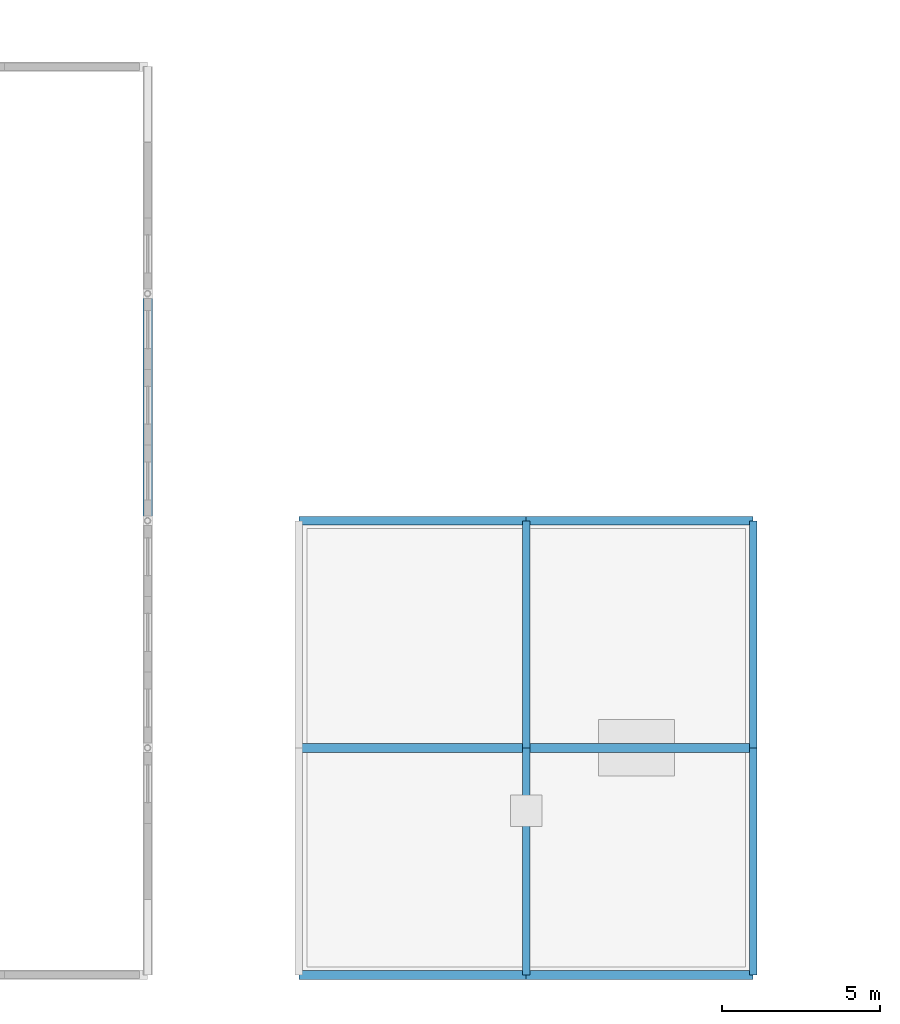
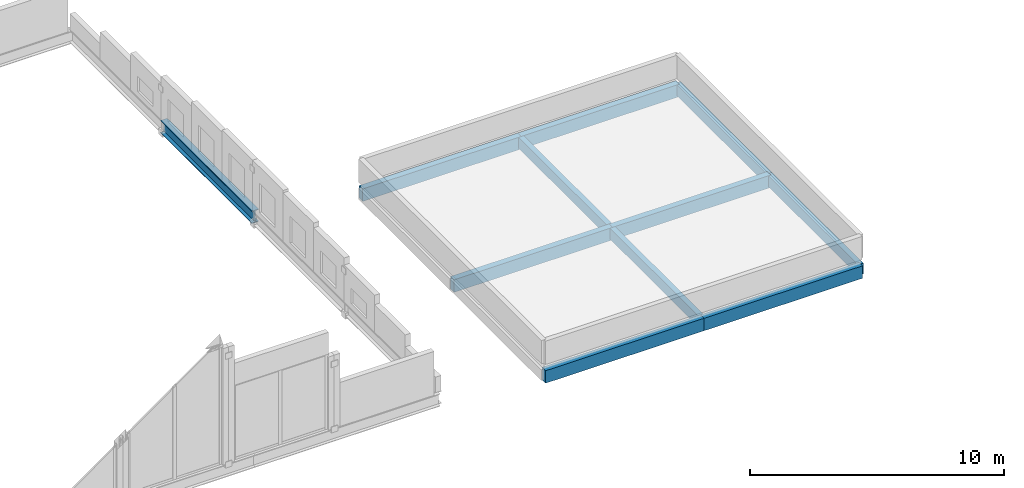
# One storey, part 7 of 34: 11 beams.
"""IFC4 building model written with IfcOpenShell, lengths in metres."""

from ifc_helpers import new_model, si_unit, direction, frame, origin, origin_2d, place, context, subcontext, project, spatial, rectangle, i_section, extrude, material, material_profile, profile_set, type_object, element, save


model = new_model("IFC4")

# Units and contexts
model_context = context("Model", 3, precision=1e-05, world=origin(), true_north=direction((0.0, 1.0)))
body_context = subcontext(model_context, "Body", "Model", "MODEL_VIEW")
ifc_project = project(units=[si_unit("LENGTHUNIT", "METRE"), si_unit("AREAUNIT", "SQUARE_METRE"), si_unit("VOLUMEUNIT", "CUBIC_METRE"), si_unit("PLANEANGLEUNIT", "RADIAN"), si_unit("MASSUNIT", "GRAM", prefix="KILO")], contexts=[model_context])

# Site, building, storey
site_placement = place(None, origin())
site = spatial("IfcSite", under=ifc_project, at=site_placement, CompositionType="ELEMENT")
building_placement = place(site_placement, origin())
building = spatial("IfcBuilding", under=site, at=building_placement, Name="Kahlenmark Community Centre", CompositionType="ELEMENT")
storey_placement = place(building_placement, frame((0.0, 0.0, 17.699951171875)))
storey = spatial("IfcBuildingStorey", under=building, at=storey_placement, Name="L04", CompositionType="ELEMENT", Elevation=17.699951171875)

# Beams
ifc_material_1 = material(Name="Glulam GL32h", Category="wood")
ifc_material_profile_1 = material_profile(ifc_material_1, rectangle(XDim=0.239990234375, YDim=0.52001953125, at=origin_2d()), Name="GL32h 240x520")
ifc_profile_set_1 = profile_set([ifc_material_profile_1], Name="Glulam GL32h")
beam_type_1 = type_object("IfcBeamType", Name="BT-BEAM-GL32h240x520", PredefinedType="BEAM", material=ifc_profile_set_1)
for number, where, z_axis, x_axis, name in (
    (1, (58.0, 8.800048828125, -0.5400390625), (0.0, 1.0, 0.0), (-1.0, 0.0, 0.0), "L04 beam BG-RF520"),
    (2, (58.0, 16.0, -0.5400390625), (0.0, 1.0, 0.0), (-1.0, 0.0, 0.0), "L04 beam BG-RF520"),
    (3, (65.199951171875, 8.800048828125, -0.5400390625), (0.0, 1.0, 0.0), (-1.0, 0.0, 0.0), "L04 beam BG-RF520"),
    (4, (65.199951171875, 16.0, -0.5400390625), (0.0, 1.0, 0.0), (-1.0, 0.0, 0.0), "L04 beam BG-RF520"),
):
    element("IfcBeam", number, at=place(storey_placement, frame(where, z_axis=z_axis, x_axis=x_axis)), inside=storey, type_object=beam_type_1, Name=name, PredefinedType="BEAM", context=body_context, shape_type="SweptSolid", body=[
        extrude(rectangle(XDim=0.239990234375, YDim=0.52001953125, at=origin_2d()), origin(), (0.0, 0.0, 1.0), 7.199951171875),
    ])
ifc_material_profile_2 = material_profile(ifc_material_1, rectangle(XDim=0.280029296875, YDim=0.60009765625, at=origin_2d()), Name="GL32h 280x600")
ifc_profile_set_2 = profile_set([ifc_material_profile_2], Name="Glulam GL32h")
beam_type_2 = type_object("IfcBeamType", Name="BT-BEAM-GL32h280x600", PredefinedType="BEAM", material=ifc_profile_set_2)
for number, where, z_axis, x_axis, name in (
    (5, (50.800048828125, 8.800048828125, -0.579833984375), (1.0, 0.0, 0.0), (0.0, 1.0, 0.0), "L04 beam BG-RF600"),
    (6, (58.0, 8.800048828125, -0.579833984375), (1.0, 0.0, 0.0), (0.0, 1.0, 0.0), "L04 beam BG-RF600"),
    (7, (50.800048828125, 16.0, -0.579833984375), (1.0, 0.0, 0.0), (0.0, 1.0, 0.0), "L04 beam BG-RF600"),
    (8, (58.0, 16.0, -0.579833984375), (1.0, 0.0, 0.0), (0.0, 1.0, 0.0), "L04 beam BG-RF600"),
    (9, (50.800048828125, 23.199951171875, -0.579833984375), (1.0, 0.0, 0.0), (0.0, 1.0, 0.0), "L04 beam BG-RF600"),
    (10, (58.0, 23.199951171875, -0.579833984375), (1.0, 0.0, 0.0), (0.0, 1.0, 0.0), "L04 beam BG-RF600"),
):
    element("IfcBeam", number, at=place(storey_placement, frame(where, z_axis=z_axis, x_axis=x_axis)), inside=storey, type_object=beam_type_2, Name=name, PredefinedType="BEAM", context=body_context, shape_type="SweptSolid", body=[
        extrude(rectangle(XDim=0.280029296875, YDim=0.60009765625, at=origin_2d()), origin(), (0.0, 0.0, 1.0), 7.199951171875),
    ])
ifc_material_2 = material(Name="Steel S355", Category="steel")
ifc_material_profile_3 = material_profile(ifc_material_2, i_section(OverallWidth=0.300048828125, OverallDepth=0.60009765625, WebThickness=0.015380859375, FlangeThickness=0.030029296875, at=origin_2d()), Name="HEB 600")
ifc_profile_set_3 = profile_set([ifc_material_profile_3], Name="Steel S355")
beam_type_3 = type_object("IfcBeamType", Name="BT-SPANDREL-HEB600", PredefinedType="SPANDREL", material=ifc_profile_set_3)
beam_placement = place(storey_placement, frame((46.0, 23.199951171875, 0.0), z_axis=(0.0, 1.0, 0.0), x_axis=(-1.0, 0.0, 0.0)))
element("IfcBeam", 11, at=beam_placement, inside=storey, type_object=beam_type_3, Name="L04 spandrel RB-1", PredefinedType="SPANDREL", context=body_context, shape_type="SweptSolid", body=[
    extrude(i_section(OverallWidth=0.300048828125, OverallDepth=0.60009765625, WebThickness=0.015380859375, FlangeThickness=0.030029296875, at=origin_2d()), origin(), (0.0, 0.0, 1.0), 7.199951171875),
])

save(model, "model.ifc")
